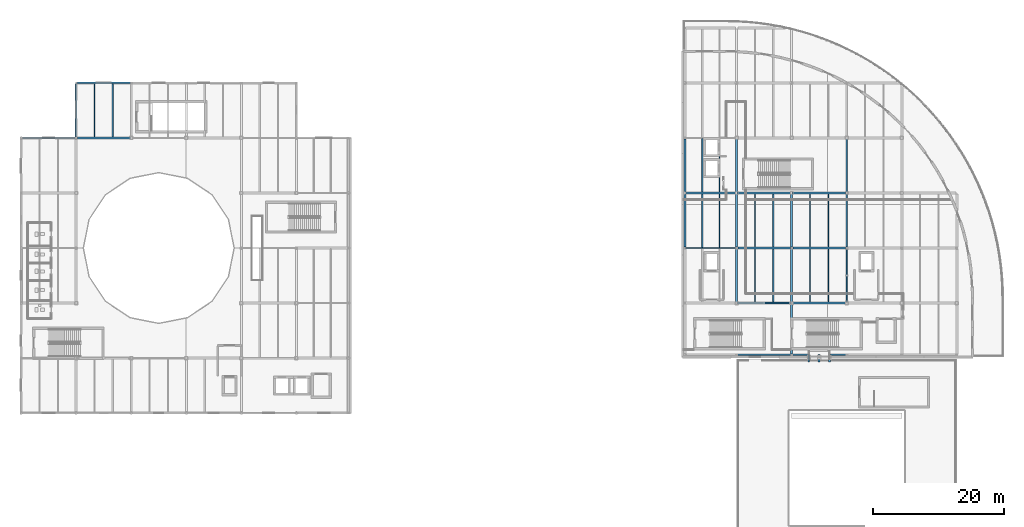
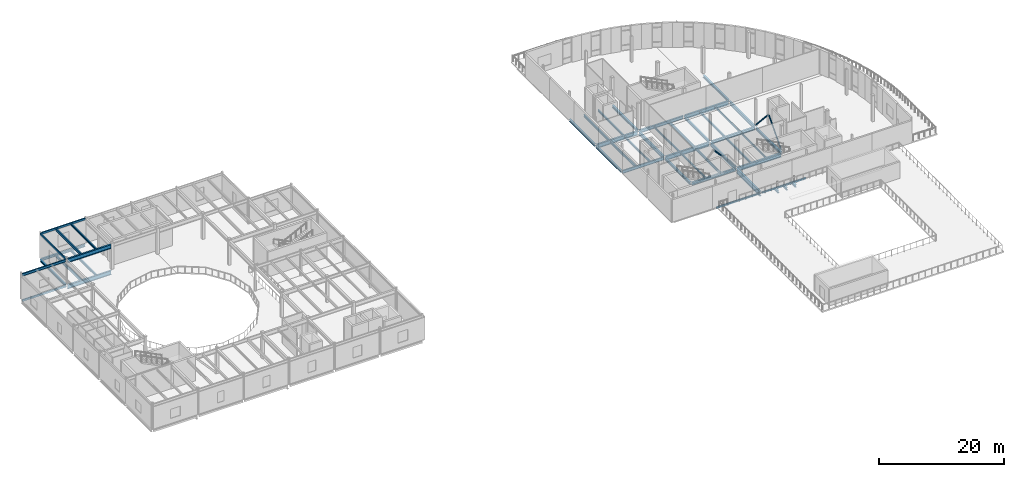
# One storey, part 16 of 57: 48 beams, 3 members.
"""IFC4 building model written with IfcOpenShell, lengths in metres."""

from ifc_helpers import new_model, si_unit, direction, frame, origin, origin_2d, place, context, subcontext, project, spatial, hollow_rectangle, hollow_circle, i_section, extrude, material, material_profile, profile_set, type_object, element, save


model = new_model("IFC4")

# Units and contexts
model_context = context("Model", 3, precision=1e-05, world=origin(), true_north=direction((0.0, 1.0)))
body_context = subcontext(model_context, "Body", "Model", "MODEL_VIEW")
ifc_project = project(units=[si_unit("LENGTHUNIT", "METRE"), si_unit("AREAUNIT", "SQUARE_METRE"), si_unit("VOLUMEUNIT", "CUBIC_METRE"), si_unit("PLANEANGLEUNIT", "RADIAN"), si_unit("MASSUNIT", "GRAM", prefix="KILO"), si_unit("THERMODYNAMICTEMPERATUREUNIT", "KELVIN")], contexts=[model_context])

# Site, building, storey
site_placement = place(None, origin())
site = spatial("IfcSite", under=ifc_project, at=site_placement, CompositionType="ELEMENT")
building_placement = place(site_placement, origin())
building = spatial("IfcBuilding", under=site, at=building_placement, Name="Lustrewick Department Store", CompositionType="ELEMENT")
storey_placement = place(building_placement, frame((0.0, 0.0, 26.699951171875)))
storey = spatial("IfcBuildingStorey", under=building, at=storey_placement, Name="L06", CompositionType="ELEMENT", Elevation=26.699951171875)

# Beams
ifc_material_1 = material(Name="Structural steel Q355B", Category="steel")
ifc_material_profile_1 = material_profile(ifc_material_1, i_section(OverallWidth=0.199951171875, OverallDepth=0.5, WebThickness=0.010009765625, FlangeThickness=0.01611328125, FilletRadius=0.01611328125, at=origin_2d()), Name="HN 500x200x10x16")
ifc_profile_set_1 = profile_set([ifc_material_profile_1], Name="Structural steel Q355B")
beam_type_1 = type_object("IfcBeamType", Name="B01", PredefinedType="JOIST", material=ifc_profile_set_1)
beam_1_placement = place(storey_placement, frame((19.60009765625, 84.14990234375, -0.5048828125), z_axis=(0.0, 1.0, 0.0), x_axis=(-1.0, 0.0, 0.0)))
element("IfcBeam", 1, at=beam_1_placement, inside=storey, type_object=beam_type_1, Name="L06 V1 Secondary Joist B01", PredefinedType="JOIST", context=body_context, shape_type="SweptSolid", body=[
    extrude(i_section(OverallWidth=0.199951171875, OverallDepth=0.5, WebThickness=0.010009765625, FlangeThickness=0.01611328125, FilletRadius=0.01611328125, at=origin_2d()), origin(), (0.0, 0.0, 1.0), 8.10009765625),
])
beam_2_placement = place(storey_placement, frame((123.199951171875, 58.949951171875, -0.5048828125), z_axis=(0.0, 1.0, 0.0), x_axis=(-1.0, 0.0, 0.0)))
element("IfcBeam", 2, at=beam_2_placement, inside=storey, type_object=beam_type_1, Name="L06 V4 Secondary Joist B01", PredefinedType="JOIST", context=body_context, shape_type="SweptSolid", body=[
    extrude(i_section(OverallWidth=0.199951171875, OverallDepth=0.5, WebThickness=0.010009765625, FlangeThickness=0.01611328125, FilletRadius=0.01611328125, at=origin_2d()), origin(), (0.0, 0.0, 1.0), 8.09912109375),
])
beam_3_placement = place(storey_placement, frame((123.199951171875, 67.35107421875, -0.5048828125), z_axis=(0.0, 1.0, 0.0), x_axis=(-1.0, 0.0, 0.0)))
element("IfcBeam", 3, at=beam_3_placement, inside=storey, type_object=beam_type_1, Name="L06 V4 Secondary Joist B01", PredefinedType="JOIST", context=body_context, shape_type="SweptSolid", body=[
    extrude(i_section(OverallWidth=0.199951171875, OverallDepth=0.5, WebThickness=0.010009765625, FlangeThickness=0.01611328125, FilletRadius=0.01611328125, at=origin_2d()), origin(), (0.0, 0.0, 1.0), 8.098876953125),
])
ifc_material_profile_2 = material_profile(ifc_material_1, i_section(OverallWidth=0.198974609375, OverallDepth=0.49609375, WebThickness=0.009033203125, FlangeThickness=0.013916015625, FilletRadius=0.01611328125, at=origin_2d()), Name="HN 496x199x9x14")
ifc_profile_set_2 = profile_set([ifc_material_profile_2], Name="Structural steel Q355B")
beam_type_2 = type_object("IfcBeamType", Name="B02", PredefinedType="JOIST", material=ifc_profile_set_2)
for number, where, z_axis, x_axis, name in (
    (4, (112.333251953125, 67.300537109375, -0.5029296875), (0.0, 1.0, 0.0), (-1.0, 0.0, 0.0), "L06 V4 Secondary Joist B02"),
    (5, (112.333251953125, 75.7509765625, -0.5029296875), (0.0, 1.0, 0.0), (-1.0, 0.0, 0.0), "L06 V4 Secondary Joist B02"),
):
    element("IfcBeam", number, at=place(storey_placement, frame(where, z_axis=z_axis, x_axis=x_axis)), inside=storey, type_object=beam_type_2, Name=name, PredefinedType="JOIST", context=body_context, shape_type="SweptSolid", body=[
        extrude(i_section(OverallWidth=0.198974609375, OverallDepth=0.49609375, WebThickness=0.009033203125, FlangeThickness=0.013916015625, FilletRadius=0.01611328125, at=origin_2d()), origin(), (0.0, 0.0, 1.0), 8.1484375),
    ])
beam_4_placement = place(storey_placement, frame((19.60009765625, 84.14990234375, 4.59716796875), z_axis=(0.0, 1.0, 0.0), x_axis=(-1.0, 0.0, 0.0)))
element("IfcBeam", 6, at=beam_4_placement, inside=storey, type_object=beam_type_2, Name="L06 V1 Secondary Joist B02", PredefinedType="JOIST", context=body_context, shape_type="SweptSolid", body=[
    extrude(i_section(OverallWidth=0.198974609375, OverallDepth=0.49609375, WebThickness=0.009033203125, FlangeThickness=0.013916015625, FilletRadius=0.01611328125, at=origin_2d()), origin(), (0.0, 0.0, 1.0), 8.150146484375),
])
ifc_material_profile_3 = material_profile(ifc_material_1, i_section(OverallWidth=0.198974609375, OverallDepth=0.446044921875, WebThickness=0.008056640625, FlangeThickness=0.011962890625, FilletRadius=0.01611328125, at=origin_2d()), Name="HN 446x199x8x12")
ifc_profile_set_3 = profile_set([ifc_material_profile_3], Name="Structural steel Q355B")
beam_type_3 = type_object("IfcBeamType", Name="B04", PredefinedType="JOIST", material=ifc_profile_set_3)
beam_5_placement = place(storey_placement, frame((22.39990234375, 84.14990234375, -0.47802734375), z_axis=(0.0, 1.0, 0.0), x_axis=(-1.0, 0.0, 0.0)))
element("IfcBeam", 7, at=beam_5_placement, inside=storey, type_object=beam_type_3, Name="L06 V1 Secondary Joist B04", PredefinedType="JOIST", context=body_context, shape_type="SweptSolid", body=[
    extrude(i_section(OverallWidth=0.198974609375, OverallDepth=0.446044921875, WebThickness=0.008056640625, FlangeThickness=0.011962890625, FilletRadius=0.01611328125, at=origin_2d()), origin(), (0.0, 0.0, 1.0), 8.10009765625),
])
ifc_material_profile_4 = material_profile(ifc_material_1, i_section(OverallWidth=0.199951171875, OverallDepth=0.39990234375, WebThickness=0.008056640625, FlangeThickness=0.012939453125, FilletRadius=0.013916015625, at=origin_2d()), Name="HN 400x200x8x13")
ifc_profile_set_4 = profile_set([ifc_material_profile_4], Name="Structural steel Q355B")
beam_type_4 = type_object("IfcBeamType", Name="B05", PredefinedType="JOIST", material=ifc_profile_set_4)
beam_6_placement = place(storey_placement, frame((22.39990234375, 84.14990234375, 4.64501953125), z_axis=(0.0, 1.0, 0.0), x_axis=(-1.0, 0.0, 0.0)))
element("IfcBeam", 8, at=beam_6_placement, inside=storey, type_object=beam_type_4, Name="L06 V1 Secondary Joist B05", PredefinedType="JOIST", context=body_context, shape_type="SweptSolid", body=[
    extrude(i_section(OverallWidth=0.199951171875, OverallDepth=0.39990234375, WebThickness=0.008056640625, FlangeThickness=0.012939453125, FilletRadius=0.013916015625, at=origin_2d()), origin(), (0.0, 0.0, 1.0), 8.150146484375),
])
ifc_material_profile_5 = material_profile(ifc_material_1, i_section(OverallWidth=0.198974609375, OverallDepth=0.39599609375, WebThickness=0.007080078125, FlangeThickness=0.010986328125, FilletRadius=0.013916015625, at=origin_2d()), Name="HN 396x199x7x11")
ifc_profile_set_5 = profile_set([ifc_material_profile_5], Name="Structural steel Q355B")
beam_type_5 = type_object("IfcBeamType", Name="B06", PredefinedType="JOIST", material=ifc_profile_set_5)
beam_7_placement = place(storey_placement, frame((128.800048828125, 58.950927734375, -0.452880859375), z_axis=(0.0, 1.0, 0.0), x_axis=(-1.0, 0.0, 0.0)))
element("IfcBeam", 9, at=beam_7_placement, inside=storey, type_object=beam_type_5, Name="L06 V4 Secondary Joist B06", PredefinedType="JOIST", context=body_context, shape_type="SweptSolid", body=[
    extrude(i_section(OverallWidth=0.198974609375, OverallDepth=0.39599609375, WebThickness=0.007080078125, FlangeThickness=0.010986328125, FilletRadius=0.013916015625, at=origin_2d()), origin(), (0.0, 0.0, 1.0), 8.09912109375),
])
beam_8_placement = place(storey_placement, frame((114.966796875, 67.300537109375, -0.452880859375), z_axis=(0.0, 1.0, 0.0), x_axis=(-1.0, 0.0, 0.0)))
element("IfcBeam", 10, at=beam_8_placement, inside=storey, type_object=beam_type_5, Name="L06 V4 Secondary Joist B06", PredefinedType="JOIST", context=body_context, shape_type="SweptSolid", body=[
    extrude(i_section(OverallWidth=0.198974609375, OverallDepth=0.39599609375, WebThickness=0.007080078125, FlangeThickness=0.010986328125, FilletRadius=0.013916015625, at=origin_2d()), origin(), (0.0, 0.0, 1.0), 8.1484375),
])
beam_9_placement = place(storey_placement, frame((128.800048828125, 67.35009765625, -0.452880859375), z_axis=(0.0, 1.0, 0.0), x_axis=(-1.0, 0.0, 0.0)))
element("IfcBeam", 11, at=beam_9_placement, inside=storey, type_object=beam_type_5, Name="L06 V4 Secondary Joist B06", PredefinedType="JOIST", context=body_context, shape_type="SweptSolid", body=[
    extrude(i_section(OverallWidth=0.198974609375, OverallDepth=0.39599609375, WebThickness=0.007080078125, FlangeThickness=0.010986328125, FilletRadius=0.013916015625, at=origin_2d()), origin(), (0.0, 0.0, 1.0), 8.098876953125),
])
beam_10_placement = place(storey_placement, frame((114.966796875, 75.7509765625, -0.452880859375), z_axis=(0.0, 1.0, 0.0), x_axis=(-1.0, 0.0, 0.0)))
element("IfcBeam", 12, at=beam_10_placement, inside=storey, type_object=beam_type_5, Name="L06 V4 Secondary Joist B06", PredefinedType="JOIST", context=body_context, shape_type="SweptSolid", body=[
    extrude(i_section(OverallWidth=0.198974609375, OverallDepth=0.39599609375, WebThickness=0.007080078125, FlangeThickness=0.010986328125, FilletRadius=0.013916015625, at=origin_2d()), origin(), (0.0, 0.0, 1.0), 8.1484375),
])
ifc_material_profile_6 = material_profile(ifc_material_1, i_section(OverallWidth=0.174072265625, OverallDepth=0.345947265625, WebThickness=0.006103515625, FlangeThickness=0.009033203125, FilletRadius=0.012939453125, at=origin_2d()), Name="HN 346x174x6x9")
ifc_profile_set_6 = profile_set([ifc_material_profile_6], Name="Structural steel Q355B")
beam_type_6 = type_object("IfcBeamType", Name="B10", PredefinedType="JOIST", material=ifc_profile_set_6)
for number, where, z_axis, x_axis, name in (
    (13, (120.39990234375, 58.949951171875, -0.427978515625), (0.0, 1.0, 0.0), (-1.0, 0.0, 0.0), "L06 V4 Secondary Joist B10"),
    (14, (131.60009765625, 58.950927734375, -0.427978515625), (0.0, 1.0, 0.0), (-1.0, 0.0, 0.0), "L06 V4 Secondary Joist B10"),
):
    element("IfcBeam", number, at=place(storey_placement, frame(where, z_axis=z_axis, x_axis=x_axis)), inside=storey, type_object=beam_type_6, Name=name, PredefinedType="JOIST", context=body_context, shape_type="SweptSolid", body=[
        extrude(i_section(OverallWidth=0.174072265625, OverallDepth=0.345947265625, WebThickness=0.006103515625, FlangeThickness=0.009033203125, FilletRadius=0.012939453125, at=origin_2d()), origin(), (0.0, 0.0, 1.0), 8.09912109375),
    ])
for number, where, z_axis, x_axis, name in (
    (15, (120.39990234375, 67.35107421875, -0.427978515625), (0.0, 1.0, 0.0), (-1.0, 0.0, 0.0), "L06 V4 Secondary Joist B10"),
    (16, (131.60009765625, 67.35009765625, -0.427978515625), (0.0, 1.0, 0.0), (-1.0, 0.0, 0.0), "L06 V4 Secondary Joist B10"),
):
    element("IfcBeam", number, at=place(storey_placement, frame(where, z_axis=z_axis, x_axis=x_axis)), inside=storey, type_object=beam_type_6, Name=name, PredefinedType="JOIST", context=body_context, shape_type="SweptSolid", body=[
        extrude(i_section(OverallWidth=0.174072265625, OverallDepth=0.345947265625, WebThickness=0.006103515625, FlangeThickness=0.009033203125, FilletRadius=0.012939453125, at=origin_2d()), origin(), (0.0, 0.0, 1.0), 8.098876953125),
    ])

# Members
ifc_material_2 = material(Name="Structural steel Q355C", Category="steel")
ifc_material_profile_7 = material_profile(ifc_material_2, hollow_circle(Radius=0.136474609375, WallThickness=0.010009765625, at=origin_2d()), Name="CHS 273x10")
ifc_profile_set_7 = profile_set([ifc_material_profile_7], Name="Structural steel Q355C")
member_type_1 = type_object("IfcMemberType", Name="BR03", PredefinedType="BRACE", material=ifc_profile_set_7)
member_1_placement = place(storey_placement, frame((125.77490234375, 58.800048828125, 0.150146484375), z_axis=(-0.665591490675, 0.0, 0.746316265092), x_axis=(0.0, -1.0, 0.0)))
element("IfcMember", 17, at=member_1_placement, inside=storey, type_object=member_type_1, Name="L06 V4 Chevron Brace BR03", PredefinedType="BRACE", context=body_context, shape_type="SweptSolid", body=[
    extrude(hollow_circle(Radius=0.136474609375, WallThickness=0.010009765625, at=origin_2d()), origin(), (0.0, 0.0, 1.0), 5.82177734375),
])
ifc_material_profile_8 = material_profile(ifc_material_2, hollow_circle(Radius=0.12255859375, WallThickness=0.010009765625, at=origin_2d()), Name="CHS 245x10")
ifc_profile_set_8 = profile_set([ifc_material_profile_8], Name="Structural steel Q355C")
member_type_2 = type_object("IfcMemberType", Name="BR04", PredefinedType="BRACE", material=ifc_profile_set_8)
member_2_placement = place(storey_placement, frame((134.39990234375, 59.02490234375, 0.150146484375), z_axis=(0.0, 0.665591490675, 0.746316265092), x_axis=(-1.0, 0.0, 0.0)))
element("IfcMember", 18, at=member_2_placement, inside=storey, type_object=member_type_2, Name="L06 V4 Chevron Brace BR04", PredefinedType="BRACE", context=body_context, shape_type="SweptSolid", body=[
    extrude(hollow_circle(Radius=0.12255859375, WallThickness=0.010009765625, at=origin_2d()), origin(), (0.0, 0.0, 1.0), 5.82177734375),
])
member_3_placement = place(storey_placement, frame((134.39990234375, 67.050048828125, 0.150146484375), z_axis=(0.0, -0.672670724561, 0.739941954695), x_axis=(1.0, 0.0, 0.0)))
element("IfcMember", 19, at=member_3_placement, inside=storey, type_object=member_type_2, Name="L06 V4 Chevron Brace BR04", PredefinedType="BRACE", context=body_context, shape_type="SweptSolid", body=[
    extrude(hollow_circle(Radius=0.12255859375, WallThickness=0.010009765625, at=origin_2d()), origin(), (0.0, 0.0, 1.0), 5.8720703125),
])

# Beams
ifc_material_profile_9 = material_profile(ifc_material_2, i_section(OverallWidth=0.302001953125, OverallDepth=0.912109375, WebThickness=0.01806640625, FlangeThickness=0.033935546875, FilletRadius=0.02392578125, at=origin_2d()), Name="HN 912x302x18x34")
ifc_profile_set_9 = profile_set([ifc_material_profile_9], Name="Structural steel Q355C")
beam_type_7 = type_object("IfcBeamType", Name="G01", PredefinedType="BEAM", material=ifc_profile_set_9)
beam_11_placement = place(storey_placement, frame((126.0, 51.02490234375, -0.7109375), z_axis=(0.0, 1.0, 0.0), x_axis=(-1.0, 0.0, 0.0)))
element("IfcBeam", 20, at=beam_11_placement, inside=storey, type_object=beam_type_7, Name="L06 V4 Girder G01", PredefinedType="BEAM", context=body_context, shape_type="SweptSolid", body=[
    extrude(i_section(OverallWidth=0.302001953125, OverallDepth=0.912109375, WebThickness=0.01806640625, FlangeThickness=0.033935546875, FilletRadius=0.02392578125, at=origin_2d()), origin(), (0.0, 0.0, 1.0), 7.625),
])
ifc_material_profile_10 = material_profile(ifc_material_2, i_section(OverallWidth=0.302001953125, OverallDepth=0.80810546875, WebThickness=0.01611328125, FlangeThickness=0.030029296875, FilletRadius=0.02197265625, at=origin_2d()), Name="HN 808x302x16x30")
ifc_profile_set_10 = profile_set([ifc_material_profile_10], Name="Structural steel Q355C")
beam_type_8 = type_object("IfcBeamType", Name="G04", PredefinedType="BEAM", material=ifc_profile_set_10)
beam_12_placement = place(storey_placement, frame((126.14990234375, 58.800048828125, -0.658935546875), z_axis=(1.0, 0.0, 0.0), x_axis=(0.0, 1.0, 0.0)))
element("IfcBeam", 21, at=beam_12_placement, inside=storey, type_object=beam_type_8, Name="L06 V4 Girder G04", PredefinedType="BEAM", context=body_context, shape_type="SweptSolid", body=[
    extrude(i_section(OverallWidth=0.302001953125, OverallDepth=0.80810546875, WebThickness=0.01611328125, FlangeThickness=0.030029296875, FilletRadius=0.02197265625, at=origin_2d()), origin(), (0.0, 0.0, 1.0), 8.10009765625),
])
beam_13_placement = place(storey_placement, frame((117.77392578125, 67.199951171875, -0.658935546875), z_axis=(1.0, 0.0, 0.0), x_axis=(0.0, 1.0, 0.0)))
element("IfcBeam", 22, at=beam_13_placement, inside=storey, type_object=beam_type_8, Name="L06 V4 Girder G04", PredefinedType="BEAM", context=body_context, shape_type="SweptSolid", body=[
    extrude(i_section(OverallWidth=0.302001953125, OverallDepth=0.80810546875, WebThickness=0.01611328125, FlangeThickness=0.030029296875, FilletRadius=0.02197265625, at=origin_2d()), origin(), (0.0, 0.0, 1.0), 8.052001953125),
])
beam_14_placement = place(storey_placement, frame((109.8779296875, 75.60009765625, -0.658935546875), z_axis=(1.0, 0.0, 0.0), x_axis=(0.0, 1.0, 0.0)))
element("IfcBeam", 23, at=beam_14_placement, inside=storey, type_object=beam_type_8, Name="L06 V4 Girder G04", PredefinedType="BEAM", context=body_context, shape_type="SweptSolid", body=[
    extrude(i_section(OverallWidth=0.302001953125, OverallDepth=0.80810546875, WebThickness=0.01611328125, FlangeThickness=0.030029296875, FilletRadius=0.02197265625, at=origin_2d()), origin(), (0.0, 0.0, 1.0), 7.572021484375),
])
beam_15_placement = place(storey_placement, frame((126.14990234375, 75.60009765625, -0.658935546875), z_axis=(1.0, 0.0, 0.0), x_axis=(0.0, 1.0, 0.0)))
element("IfcBeam", 24, at=beam_15_placement, inside=storey, type_object=beam_type_8, Name="L06 V4 Girder G04", PredefinedType="BEAM", context=body_context, shape_type="SweptSolid", body=[
    extrude(i_section(OverallWidth=0.302001953125, OverallDepth=0.80810546875, WebThickness=0.01611328125, FlangeThickness=0.030029296875, FilletRadius=0.02197265625, at=origin_2d()), origin(), (0.0, 0.0, 1.0), 8.10009765625),
])
ifc_material_profile_11 = material_profile(ifc_material_1, i_section(OverallWidth=0.300048828125, OverallDepth=0.800048828125, WebThickness=0.013916015625, FlangeThickness=0.02587890625, FilletRadius=0.02197265625, at=origin_2d()), Name="HN 800x300x14x26")
ifc_profile_set_11 = profile_set([ifc_material_profile_11], Name="Structural steel Q355B")
beam_type_9 = type_object("IfcBeamType", Name="G05", PredefinedType="BEAM", material=ifc_profile_set_11)
beam_16_placement = place(storey_placement, frame((16.97802734375, 84.0, -0.655029296875), z_axis=(1.0, 0.0, 0.0), x_axis=(0.0, 1.0, 0.0)))
element("IfcBeam", 25, at=beam_16_placement, inside=storey, type_object=beam_type_9, Name="L06 V1 Girder G05", PredefinedType="BEAM", context=body_context, shape_type="SweptSolid", body=[
    extrude(i_section(OverallWidth=0.300048828125, OverallDepth=0.800048828125, WebThickness=0.013916015625, FlangeThickness=0.02587890625, FilletRadius=0.02197265625, at=origin_2d()), origin(), (0.0, 0.0, 1.0), 8.072021484375),
])
ifc_material_profile_12 = material_profile(ifc_material_1, i_section(OverallWidth=0.300048828125, OverallDepth=0.7919921875, WebThickness=0.013916015625, FlangeThickness=0.02197265625, FilletRadius=0.02197265625, at=origin_2d()), Name="HN 792x300x14x22")
ifc_profile_set_12 = profile_set([ifc_material_profile_12], Name="Structural steel Q355B")
beam_type_10 = type_object("IfcBeamType", Name="G06", PredefinedType="BEAM", material=ifc_profile_set_12)
beam_17_placement = place(storey_placement, frame((16.97802734375, 84.0, 4.448974609375), z_axis=(1.0, 0.0, 0.0), x_axis=(0.0, 1.0, 0.0)))
element("IfcBeam", 26, at=beam_17_placement, inside=storey, type_object=beam_type_10, Name="L06 V1 Girder G06", PredefinedType="BEAM", context=body_context, shape_type="SweptSolid", body=[
    extrude(i_section(OverallWidth=0.300048828125, OverallDepth=0.7919921875, WebThickness=0.013916015625, FlangeThickness=0.02197265625, FilletRadius=0.02197265625, at=origin_2d()), origin(), (0.0, 0.0, 1.0), 7.9970703125),
])
ifc_material_profile_13 = material_profile(ifc_material_1, i_section(OverallWidth=0.300048828125, OverallDepth=0.69189453125, WebThickness=0.012939453125, FlangeThickness=0.02001953125, FilletRadius=0.02001953125, at=origin_2d()), Name="HN 692x300x13x20")
ifc_profile_set_13 = profile_set([ifc_material_profile_13], Name="Structural steel Q355B")
beam_type_11 = type_object("IfcBeamType", Name="G09", PredefinedType="BEAM", material=ifc_profile_set_13)
beam_18_placement = place(storey_placement, frame((117.60009765625, 67.3720703125, -0.600830078125), z_axis=(0.0, 1.0, 0.0), x_axis=(-1.0, 0.0, 0.0)))
element("IfcBeam", 27, at=beam_18_placement, inside=storey, type_object=beam_type_11, Name="L06 V4 Girder G09", PredefinedType="BEAM", context=body_context, shape_type="SweptSolid", body=[
    extrude(i_section(OverallWidth=0.300048828125, OverallDepth=0.69189453125, WebThickness=0.012939453125, FlangeThickness=0.02001953125, FilletRadius=0.02001953125, at=origin_2d()), origin(), (0.0, 0.0, 1.0), 8.077880859375),
])
beam_19_placement = place(storey_placement, frame((126.0, 58.949951171875, -0.600830078125), z_axis=(0.0, 1.0, 0.0), x_axis=(-1.0, 0.0, 0.0)))
element("IfcBeam", 28, at=beam_19_placement, inside=storey, type_object=beam_type_11, Name="L06 V4 Girder G09", PredefinedType="BEAM", context=body_context, shape_type="SweptSolid", body=[
    extrude(i_section(OverallWidth=0.300048828125, OverallDepth=0.69189453125, WebThickness=0.012939453125, FlangeThickness=0.02001953125, FilletRadius=0.02001953125, at=origin_2d()), origin(), (0.0, 0.0, 1.0), 8.078125),
])
beam_20_placement = place(storey_placement, frame((134.39990234375, 67.3720703125, -0.600830078125), z_axis=(0.0, 1.0, 0.0), x_axis=(-1.0, 0.0, 0.0)))
element("IfcBeam", 29, at=beam_20_placement, inside=storey, type_object=beam_type_11, Name="L06 V4 Girder G09", PredefinedType="BEAM", context=body_context, shape_type="SweptSolid", body=[
    extrude(i_section(OverallWidth=0.300048828125, OverallDepth=0.69189453125, WebThickness=0.012939453125, FlangeThickness=0.02001953125, FilletRadius=0.02001953125, at=origin_2d()), origin(), (0.0, 0.0, 1.0), 8.077880859375),
])
ifc_material_profile_14 = material_profile(ifc_material_1, i_section(OverallWidth=0.300048828125, OverallDepth=0.58203125, WebThickness=0.011962890625, FlangeThickness=0.01708984375, FilletRadius=0.02392578125, at=origin_2d()), Name="HM 582x300x12x17")
ifc_profile_set_14 = profile_set([ifc_material_profile_14], Name="Structural steel Q355B")
beam_type_12 = type_object("IfcBeamType", Name="G12", PredefinedType="BEAM", material=ifc_profile_set_14)
beam_21_placement = place(storey_placement, frame((117.75, 58.800048828125, -0.5458984375), z_axis=(1.0, 0.0, 0.0), x_axis=(0.0, 1.0, 0.0)))
element("IfcBeam", 30, at=beam_21_placement, inside=storey, type_object=beam_type_12, Name="L06 V4 Girder G12", PredefinedType="BEAM", context=body_context, shape_type="SweptSolid", body=[
    extrude(i_section(OverallWidth=0.300048828125, OverallDepth=0.58203125, WebThickness=0.011962890625, FlangeThickness=0.01708984375, FilletRadius=0.02392578125, at=origin_2d()), origin(), (0.0, 0.0, 1.0), 8.10009765625),
])
beam_22_placement = place(storey_placement, frame((126.174072265625, 67.199951171875, -0.5458984375), z_axis=(1.0, 0.0, 0.0), x_axis=(0.0, 1.0, 0.0)))
element("IfcBeam", 31, at=beam_22_placement, inside=storey, type_object=beam_type_12, Name="L06 V4 Girder G12", PredefinedType="BEAM", context=body_context, shape_type="SweptSolid", body=[
    extrude(i_section(OverallWidth=0.300048828125, OverallDepth=0.58203125, WebThickness=0.011962890625, FlangeThickness=0.01708984375, FilletRadius=0.02392578125, at=origin_2d()), origin(), (0.0, 0.0, 1.0), 8.052001953125),
])
beam_23_placement = place(storey_placement, frame((117.75, 75.60009765625, -0.5458984375), z_axis=(1.0, 0.0, 0.0), x_axis=(0.0, 1.0, 0.0)))
element("IfcBeam", 32, at=beam_23_placement, inside=storey, type_object=beam_type_12, Name="L06 V4 Girder G12", PredefinedType="BEAM", context=body_context, shape_type="SweptSolid", body=[
    extrude(i_section(OverallWidth=0.300048828125, OverallDepth=0.58203125, WebThickness=0.011962890625, FlangeThickness=0.01708984375, FilletRadius=0.02392578125, at=origin_2d()), origin(), (0.0, 0.0, 1.0), 8.10009765625),
])
ifc_material_profile_15 = material_profile(ifc_material_1, i_section(OverallWidth=0.200927734375, OverallDepth=0.60595703125, WebThickness=0.011962890625, FlangeThickness=0.02001953125, FilletRadius=0.01806640625, at=origin_2d()), Name="HN 606x201x12x20")
ifc_profile_set_15 = profile_set([ifc_material_profile_15], Name="Structural steel Q355B")
beam_type_13 = type_object("IfcBeamType", Name="G13", PredefinedType="BEAM", material=ifc_profile_set_15)
beam_24_placement = place(storey_placement, frame((109.824951171875, 67.199951171875, -0.557861328125), z_axis=(1.0, 0.0, 0.0), x_axis=(0.0, 1.0, 0.0)))
element("IfcBeam", 33, at=beam_24_placement, inside=storey, type_object=beam_type_13, Name="L06 V4 Girder G13", PredefinedType="BEAM", context=body_context, shape_type="SweptSolid", body=[
    extrude(i_section(OverallWidth=0.200927734375, OverallDepth=0.60595703125, WebThickness=0.011962890625, FlangeThickness=0.02001953125, FilletRadius=0.01806640625, at=origin_2d()), origin(), (0.0, 0.0, 1.0), 7.60107421875),
])
ifc_material_profile_16 = material_profile(ifc_material_1, i_section(OverallWidth=0.300048828125, OverallDepth=0.488037109375, WebThickness=0.010986328125, FlangeThickness=0.01806640625, FilletRadius=0.02197265625, at=origin_2d()), Name="HM 488x300x11x18")
ifc_profile_set_16 = profile_set([ifc_material_profile_16], Name="Structural steel Q355B")
beam_type_14 = type_object("IfcBeamType", Name="G16", PredefinedType="BEAM", material=ifc_profile_set_16)
for number, where, z_axis, x_axis, name in (
    (34, (128.60009765625, 49.800048828125, -0.4990234375), (0.0, 1.0, 0.0), (-1.0, 0.0, 0.0), "L06 Skybridge SB34 Girder 1"),
    (35, (131.800048828125, 49.800048828125, -0.4990234375), (0.0, 1.0, 0.0), (-1.0, 0.0, 0.0), "L06 Skybridge SB34 Girder 2"),
    (36, (130.199951171875, 49.800048828125, -0.4990234375), (0.0, 1.0, 0.0), (-1.0, 0.0, 0.0), "L06 Skybridge SB34 Girder 3"),
):
    element("IfcBeam", number, at=place(storey_placement, frame(where, z_axis=z_axis, x_axis=x_axis)), inside=storey, type_object=beam_type_14, Name=name, PredefinedType="BEAM", context=body_context, shape_type="SweptSolid", body=[
        extrude(i_section(OverallWidth=0.300048828125, OverallDepth=0.488037109375, WebThickness=0.010986328125, FlangeThickness=0.01806640625, FilletRadius=0.02197265625, at=origin_2d()), origin(), (0.0, 0.0, 1.0), 1.139892578125),
    ])
ifc_material_profile_17 = material_profile(ifc_material_1, i_section(OverallWidth=0.300048828125, OverallDepth=0.48193359375, WebThickness=0.010986328125, FlangeThickness=0.014892578125, FilletRadius=0.02197265625, at=origin_2d()), Name="HM 482x300x11x15")
ifc_profile_set_17 = profile_set([ifc_material_profile_17], Name="Structural steel Q355B")
beam_type_15 = type_object("IfcBeamType", Name="G20", PredefinedType="BEAM", material=ifc_profile_set_17)
beam_25_placement = place(storey_placement, frame((117.60009765625, 58.949951171875, -0.495849609375), z_axis=(0.0, 1.0, 0.0), x_axis=(-1.0, 0.0, 0.0)))
element("IfcBeam", 37, at=beam_25_placement, inside=storey, type_object=beam_type_15, Name="L06 V4 Girder G20", PredefinedType="BEAM", context=body_context, shape_type="SweptSolid", body=[
    extrude(i_section(OverallWidth=0.300048828125, OverallDepth=0.48193359375, WebThickness=0.010986328125, FlangeThickness=0.014892578125, FilletRadius=0.02197265625, at=origin_2d()), origin(), (0.0, 0.0, 1.0), 8.078125),
])
beam_26_placement = place(storey_placement, frame((117.60009765625, 75.75, -0.495849609375), z_axis=(0.0, 1.0, 0.0), x_axis=(-1.0, 0.0, 0.0)))
element("IfcBeam", 38, at=beam_26_placement, inside=storey, type_object=beam_type_15, Name="L06 V4 Girder G20", PredefinedType="BEAM", context=body_context, shape_type="SweptSolid", body=[
    extrude(i_section(OverallWidth=0.300048828125, OverallDepth=0.48193359375, WebThickness=0.010986328125, FlangeThickness=0.014892578125, FilletRadius=0.02197265625, at=origin_2d()), origin(), (0.0, 0.0, 1.0), 8.10009765625),
])
beam_27_placement = place(storey_placement, frame((126.0, 67.3720703125, -0.495849609375), z_axis=(0.0, 1.0, 0.0), x_axis=(-1.0, 0.0, 0.0)))
element("IfcBeam", 39, at=beam_27_placement, inside=storey, type_object=beam_type_15, Name="L06 V4 Girder G20", PredefinedType="BEAM", context=body_context, shape_type="SweptSolid", body=[
    extrude(i_section(OverallWidth=0.300048828125, OverallDepth=0.48193359375, WebThickness=0.010986328125, FlangeThickness=0.014892578125, FilletRadius=0.02197265625, at=origin_2d()), origin(), (0.0, 0.0, 1.0), 8.077880859375),
])
beam_28_placement = place(storey_placement, frame((134.39990234375, 58.949951171875, -0.495849609375), z_axis=(0.0, 1.0, 0.0), x_axis=(-1.0, 0.0, 0.0)))
element("IfcBeam", 40, at=beam_28_placement, inside=storey, type_object=beam_type_15, Name="L06 V4 Girder G20", PredefinedType="BEAM", context=body_context, shape_type="SweptSolid", body=[
    extrude(i_section(OverallWidth=0.300048828125, OverallDepth=0.48193359375, WebThickness=0.010986328125, FlangeThickness=0.014892578125, FilletRadius=0.02197265625, at=origin_2d()), origin(), (0.0, 0.0, 1.0), 8.078125),
])
beam_29_placement = place(storey_placement, frame((134.39990234375, 75.75, -0.495849609375), z_axis=(0.0, 1.0, 0.0), x_axis=(-1.0, 0.0, 0.0)))
element("IfcBeam", 41, at=beam_29_placement, inside=storey, type_object=beam_type_15, Name="L06 V4 Girder G20", PredefinedType="BEAM", context=body_context, shape_type="SweptSolid", body=[
    extrude(i_section(OverallWidth=0.300048828125, OverallDepth=0.48193359375, WebThickness=0.010986328125, FlangeThickness=0.014892578125, FilletRadius=0.02197265625, at=origin_2d()), origin(), (0.0, 0.0, 1.0), 8.10009765625),
])
ifc_material_profile_18 = material_profile(ifc_material_1, i_section(OverallWidth=0.200927734375, OverallDepth=0.506103515625, WebThickness=0.010986328125, FlangeThickness=0.01904296875, FilletRadius=0.01611328125, at=origin_2d()), Name="HN 506x201x11x19")
ifc_profile_set_18 = profile_set([ifc_material_profile_18], Name="Structural steel Q355B")
beam_type_16 = type_object("IfcBeamType", Name="SP01", PredefinedType="SPANDREL", material=ifc_profile_set_18)
beam_30_placement = place(storey_placement, frame((8.577880859375, 84.0, 4.592041015625), z_axis=(1.0, 0.0, 0.0), x_axis=(0.0, 1.0, 0.0)))
element("IfcBeam", 42, at=beam_30_placement, inside=storey, type_object=beam_type_16, Name="L06 V1 Girder SP01", PredefinedType="SPANDREL", context=body_context, shape_type="SweptSolid", body=[
    extrude(i_section(OverallWidth=0.200927734375, OverallDepth=0.506103515625, WebThickness=0.010986328125, FlangeThickness=0.01904296875, FilletRadius=0.01611328125, at=origin_2d()), origin(), (0.0, 0.0, 1.0), 8.044189453125),
])
ifc_material_profile_19 = material_profile(ifc_material_1, i_section(OverallWidth=0.300048828125, OverallDepth=0.43994140625, WebThickness=0.010986328125, FlangeThickness=0.01806640625, FilletRadius=0.02001953125, at=origin_2d()), Name="HM 440x300x11x18")
ifc_profile_set_19 = profile_set([ifc_material_profile_19], Name="Structural steel Q355B")
beam_type_17 = type_object("IfcBeamType", Name="SP02", PredefinedType="SPANDREL", material=ifc_profile_set_19)
beam_31_placement = place(storey_placement, frame((16.925048828125, 92.39990234375, -0.474853515625), z_axis=(1.0, 0.0, 0.0), x_axis=(0.0, 1.0, 0.0)))
element("IfcBeam", 43, at=beam_31_placement, inside=storey, type_object=beam_type_17, Name="L06 V1 Girder SP02", PredefinedType="SPANDREL", context=body_context, shape_type="SweptSolid", body=[
    extrude(i_section(OverallWidth=0.300048828125, OverallDepth=0.43994140625, WebThickness=0.010986328125, FlangeThickness=0.01806640625, FilletRadius=0.02001953125, at=origin_2d()), origin(), (0.0, 0.0, 1.0), 8.14990234375),
])
beam_32_placement = place(storey_placement, frame((16.800048828125, 84.177978515625, -0.474853515625), z_axis=(0.0, 1.0, 0.0), x_axis=(-1.0, 0.0, 0.0)))
element("IfcBeam", 44, at=beam_32_placement, inside=storey, type_object=beam_type_17, Name="L06 V1 Girder SP02", PredefinedType="SPANDREL", context=body_context, shape_type="SweptSolid", body=[
    extrude(i_section(OverallWidth=0.300048828125, OverallDepth=0.43994140625, WebThickness=0.010986328125, FlangeThickness=0.01806640625, FilletRadius=0.02001953125, at=origin_2d()), origin(), (0.0, 0.0, 1.0), 8.096923828125),
])
beam_33_placement = place(storey_placement, frame((109.699951171875, 67.324951171875, -0.474853515625), z_axis=(0.0, 1.0, 0.0), x_axis=(-1.0, 0.0, 0.0)))
element("IfcBeam", 45, at=beam_33_placement, inside=storey, type_object=beam_type_17, Name="L06 V4 Girder SP02", PredefinedType="SPANDREL", context=body_context, shape_type="SweptSolid", body=[
    extrude(i_section(OverallWidth=0.300048828125, OverallDepth=0.43994140625, WebThickness=0.010986328125, FlangeThickness=0.01806640625, FilletRadius=0.02001953125, at=origin_2d()), origin(), (0.0, 0.0, 1.0), 8.09716796875),
])
beam_34_placement = place(storey_placement, frame((109.699951171875, 75.778076171875, -0.474853515625), z_axis=(0.0, 1.0, 0.0), x_axis=(-1.0, 0.0, 0.0)))
element("IfcBeam", 46, at=beam_34_placement, inside=storey, type_object=beam_type_17, Name="L06 V4 Girder SP02", PredefinedType="SPANDREL", context=body_context, shape_type="SweptSolid", body=[
    extrude(i_section(OverallWidth=0.300048828125, OverallDepth=0.43994140625, WebThickness=0.010986328125, FlangeThickness=0.01806640625, FilletRadius=0.02001953125, at=origin_2d()), origin(), (0.0, 0.0, 1.0), 8.096923828125),
])
ifc_material_profile_20 = material_profile(ifc_material_2, hollow_rectangle(XDim=0.199951171875, YDim=0.35009765625, WallThickness=0.011962890625, at=origin_2d()), Name="RHS 350x200x12")
ifc_profile_set_20 = profile_set([ifc_material_profile_20], Name="Structural steel Q355C")
beam_type_18 = type_object("IfcBeamType", Name="SP03", PredefinedType="SPANDREL", material=ifc_profile_set_20)
beam_35_placement = place(storey_placement, frame((8.577880859375, 84.0, -0.429931640625), z_axis=(1.0, 0.0, 0.0), x_axis=(0.0, 1.0, 0.0)))
element("IfcBeam", 47, at=beam_35_placement, inside=storey, type_object=beam_type_18, Name="L06 V1 Girder SP03", PredefinedType="SPANDREL", context=body_context, shape_type="SweptSolid", body=[
    extrude(hollow_rectangle(XDim=0.199951171875, YDim=0.35009765625, WallThickness=0.011962890625, at=origin_2d()), origin(), (0.0, 0.0, 1.0), 8.044189453125),
])
for number, where, z_axis, x_axis, name in (
    (48, (117.72509765625, 50.89990234375, -0.429931640625), (1.0, 0.0, 0.0), (0.0, 1.0, 0.0), "L06 V4 Girder SP03"),
    (49, (126.125, 50.89990234375, -0.429931640625), (1.0, 0.0, 0.0), (0.0, 1.0, 0.0), "L06 V4 Girder SP03"),
    (50, (16.925048828125, 92.39990234375, 4.670166015625), (1.0, 0.0, 0.0), (0.0, 1.0, 0.0), "L06 V1 Girder SP03"),
):
    element("IfcBeam", number, at=place(storey_placement, frame(where, z_axis=z_axis, x_axis=x_axis)), inside=storey, type_object=beam_type_18, Name=name, PredefinedType="SPANDREL", context=body_context, shape_type="SweptSolid", body=[
        extrude(hollow_rectangle(XDim=0.199951171875, YDim=0.35009765625, WallThickness=0.011962890625, at=origin_2d()), origin(), (0.0, 0.0, 1.0), 8.14990234375),
    ])
beam_36_placement = place(storey_placement, frame((16.800048828125, 84.177978515625, 4.670166015625), z_axis=(0.0, 1.0, 0.0), x_axis=(-1.0, 0.0, 0.0)))
element("IfcBeam", 51, at=beam_36_placement, inside=storey, type_object=beam_type_18, Name="L06 V1 Girder SP03", PredefinedType="SPANDREL", context=body_context, shape_type="SweptSolid", body=[
    extrude(hollow_rectangle(XDim=0.199951171875, YDim=0.35009765625, WallThickness=0.011962890625, at=origin_2d()), origin(), (0.0, 0.0, 1.0), 8.096923828125),
])

save(model, "model.ifc")
